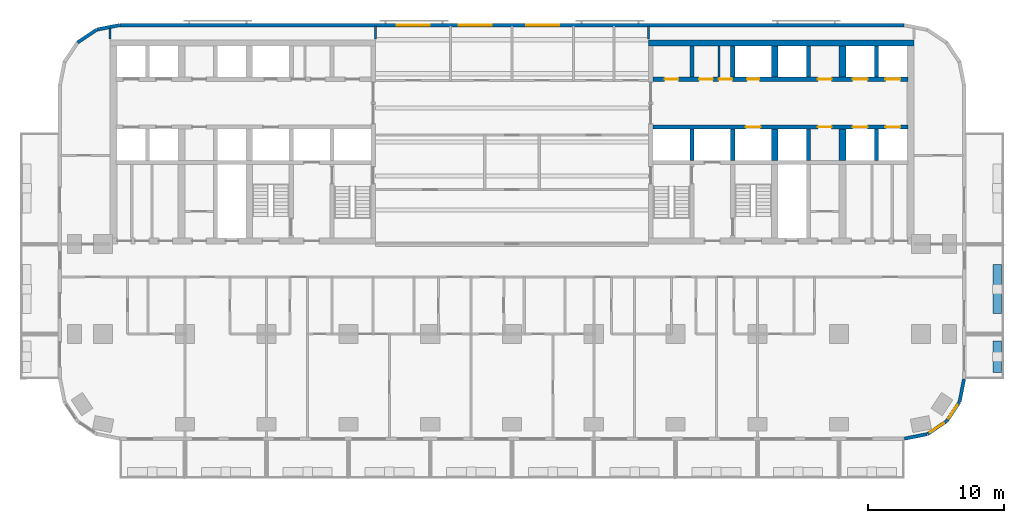
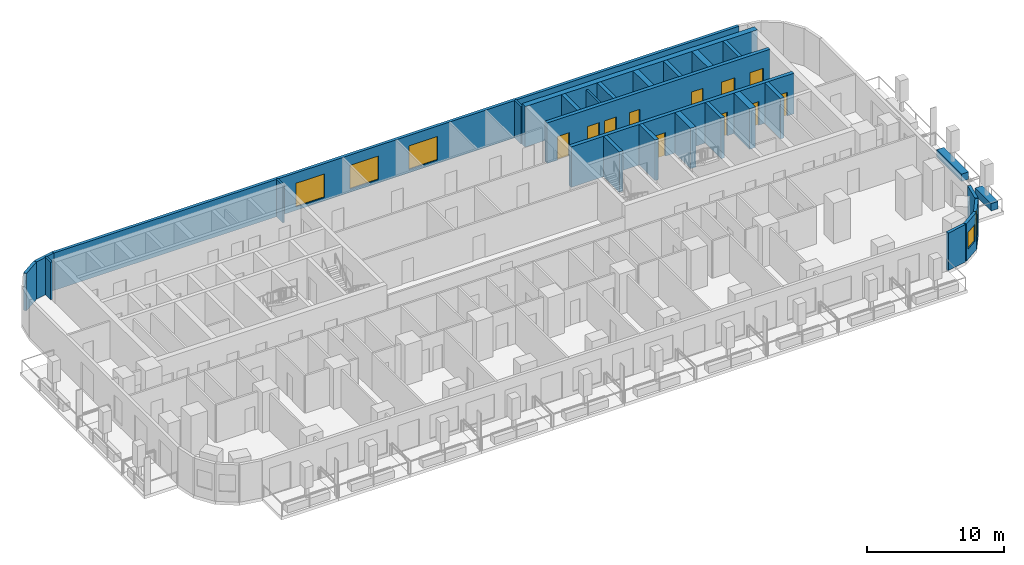
# One storey, part 8 of 14: 28 walls, 11 doors, 5 windows, 16 openings.
"""IFC4 building model written with IfcOpenShell, lengths in metres."""

from ifc_helpers import new_model, si_unit, direction, frame, frame_2d, origin, place, context, subcontext, project, spatial, rectangle, extrude, material, layer, layer_set, type_object, element, fill, save


model = new_model("IFC4")

# Units and contexts
model_context = context("Model", 3, precision=1e-05, world=origin(), true_north=direction((0.0, 1.0)))
body_context = subcontext(model_context, "Body", "Model", "MODEL_VIEW")
ifc_project = project(units=[si_unit("LENGTHUNIT", "METRE"), si_unit("AREAUNIT", "SQUARE_METRE"), si_unit("VOLUMEUNIT", "CUBIC_METRE"), si_unit("PLANEANGLEUNIT", "RADIAN"), si_unit("MASSUNIT", "GRAM", prefix="KILO")], contexts=[model_context])

# Site, building, storey
site_placement = place(None, origin())
site = spatial("IfcSite", under=ifc_project, at=site_placement, CompositionType="ELEMENT")
building_placement = place(site_placement, origin())
building = spatial("IfcBuilding", under=site, at=building_placement, Name="Torana Hotel and Residences", CompositionType="ELEMENT")
storey_placement = place(building_placement, frame((0.0, 0.0, 85.199951171875)))
storey = spatial("IfcBuildingStorey", under=building, at=storey_placement, Name="L21", CompositionType="ELEMENT", Elevation=85.199951171875)

# Wall, openings, doors
ifc_material_1 = material(Name="Concrete C80/95", Category="concrete")
ifc_layer_1 = layer(ifc_material_1, 0.300048828125)
ifc_layer_set_1 = layer_set([ifc_layer_1], Name="CORE WALL 300 C80/95")
wall_type_1 = type_object("IfcWallType", Name="CORE WALL 300 C80/95", PredefinedType="SHEAR", material=ifc_layer_set_1)
wall_1_placement = place(storey_placement, frame((10.35009765625, -2.89990234375, 0.0), z_axis=(0.0, 0.0, 1.0), x_axis=(1.0, 0.0, 0.0)))
wall_1 = element("IfcWall", 1, at=wall_1_placement, inside=storey, type_object=wall_type_1, Name="Core wall E row-N", PredefinedType="SHEAR", context=body_context, shape_type="SweptSolid", body=[
    extrude(rectangle(XDim=18.699951171875, YDim=0.300048828125, at=frame_2d((9.35009765625, 0.0))), origin(), (0.0, 0.0, 1.0), 3.60009765625),
])
opening_1_placement = place(wall_1_placement, frame((14.64990234375, 0.0, 0.0)))
opening_1 = element("IfcOpeningElement", 2, at=opening_1_placement, cuts=wall_1, Name="Opening LD", PredefinedType="OPENING", context=body_context, shape_type="SweptSolid", body=[
    extrude(rectangle(XDim=1.10009765625, YDim=2.10009765625, at=frame_2d((0.550048828125, 1.050048828125))), frame((0.0, 0.159912109375, 0.0), z_axis=(0.0, -1.0, 0.0), x_axis=(1.0, 0.0, 0.0)), (0.0, 0.0, 1.0), 0.320068359375),
])
opening_2_placement = place(wall_1_placement, frame((17.050048828125, 0.0, 0.0)))
opening_2 = element("IfcOpeningElement", 3, at=opening_2_placement, cuts=wall_1, Name="Opening LD", PredefinedType="OPENING", context=body_context, shape_type="SweptSolid", body=[
    extrude(rectangle(XDim=1.10009765625, YDim=2.10009765625, at=frame_2d((0.550048828125, 1.050048828125))), frame((0.0, 0.159912109375, 0.0), z_axis=(0.0, -1.0, 0.0), x_axis=(1.0, 0.0, 0.0)), (0.0, 0.0, 1.0), 0.320068359375),
])
opening_3_placement = place(wall_1_placement, frame((6.89990234375, 0.0, 0.0)))
opening_3 = element("IfcOpeningElement", 4, at=opening_3_placement, cuts=wall_1, Name="Opening L21-29", PredefinedType="OPENING", context=body_context, shape_type="SweptSolid", body=[
    extrude(rectangle(XDim=0.89990234375, YDim=2.10009765625, at=frame_2d((0.449951171875, 1.050048828125))), frame((0.0, 0.159912109375, 0.0), z_axis=(0.0, -1.0, 0.0), x_axis=(1.0, 0.0, 0.0)), (0.0, 0.0, 1.0), 0.320068359375),
])
opening_4_placement = place(wall_1_placement, frame((0.85009765625, 0.0, 0.0)))
opening_4 = element("IfcOpeningElement", 5, at=opening_4_placement, cuts=wall_1, Name="Opening L21-30", PredefinedType="OPENING", context=body_context, shape_type="SweptSolid", body=[
    extrude(rectangle(XDim=1.0, YDim=2.10009765625, at=frame_2d((0.5, 1.050048828125))), frame((0.0, 0.159912109375, 0.0), z_axis=(0.0, -1.0, 0.0), x_axis=(1.0, 0.0, 0.0)), (0.0, 0.0, 1.0), 0.320068359375),
])
opening_5_placement = place(wall_1_placement, frame((3.387451171875, 0.0, 0.0)))
opening_5 = element("IfcOpeningElement", 6, at=opening_5_placement, cuts=wall_1, Name="Opening L21-31", PredefinedType="OPENING", context=body_context, shape_type="SweptSolid", body=[
    extrude(rectangle(XDim=1.0, YDim=2.10009765625, at=frame_2d((0.5, 1.050048828125))), frame((0.0, 0.159912109375, 0.0), z_axis=(0.0, -1.0, 0.0), x_axis=(1.0, 0.0, 0.0)), (0.0, 0.0, 1.0), 0.320068359375),
])
opening_6_placement = place(wall_1_placement, frame((4.8125, 0.0, 0.0)))
opening_6 = element("IfcOpeningElement", 7, at=opening_6_placement, cuts=wall_1, Name="Opening L21-32", PredefinedType="OPENING", context=body_context, shape_type="SweptSolid", body=[
    extrude(rectangle(XDim=1.0, YDim=2.10009765625, at=frame_2d((0.5, 1.050048828125))), frame((0.0, 0.159912109375, 0.0), z_axis=(0.0, -1.0, 0.0), x_axis=(1.0, 0.0, 0.0)), (0.0, 0.0, 1.0), 0.320068359375),
])
opening_7_placement = place(wall_1_placement, frame((12.10009765625, 0.0, 0.0)))
opening_7 = element("IfcOpeningElement", 8, at=opening_7_placement, cuts=wall_1, Name="Opening L21-33", PredefinedType="OPENING", context=body_context, shape_type="SweptSolid", body=[
    extrude(rectangle(XDim=1.0, YDim=2.10009765625, at=frame_2d((0.5, 1.050048828125))), frame((0.0, 0.159912109375, 0.0), z_axis=(0.0, -1.0, 0.0), x_axis=(1.0, 0.0, 0.0)), (0.0, 0.0, 1.0), 0.320068359375),
])
ifc_material_2 = material(Name="Steel S235", Category="steel")
door_type_1 = type_object("IfcDoorType", Name="CORE ROOM FIRE DOOR D14 1000x2100", OperationType="SINGLE_SWING_LEFT", PredefinedType="DOOR", material=ifc_material_2)
door_1_placement = place(opening_4_placement, origin())
door_1 = element("IfcDoor", 9, at=door_1_placement, inside=storey, type_object=door_type_1, Name="N0 door L21", OperationType="SINGLE_SWING_RIGHT", OverallHeight=2.10009765625, OverallWidth=1.0, PredefinedType="DOOR", context=body_context, shape_type="SweptSolid", body=[
    extrude(rectangle(XDim=1.0, YDim=2.10009765625, at=frame_2d((0.5, 1.050048828125))), frame((0.0, 0.02490234375, 0.0), z_axis=(0.0, -1.0, 0.0), x_axis=(1.0, 0.0, 0.0)), (0.0, 0.0, 1.0), 0.050048828125),
])
fill(opening_4, door_1)
door_2_placement = place(opening_5_placement, origin())
door_2 = element("IfcDoor", 10, at=door_2_placement, inside=storey, type_object=door_type_1, Name="N1A door L21", OperationType="SINGLE_SWING_RIGHT", OverallHeight=2.10009765625, OverallWidth=1.0, PredefinedType="DOOR", context=body_context, shape_type="SweptSolid", body=[
    extrude(rectangle(XDim=1.0, YDim=2.10009765625, at=frame_2d((0.5, 1.050048828125))), frame((0.0, 0.02490234375, 0.0), z_axis=(0.0, -1.0, 0.0), x_axis=(1.0, 0.0, 0.0)), (0.0, 0.0, 1.0), 0.050048828125),
])
fill(opening_5, door_2)
door_3_placement = place(opening_6_placement, origin())
door_3 = element("IfcDoor", 11, at=door_3_placement, inside=storey, type_object=door_type_1, Name="N1B door L21", OperationType="SINGLE_SWING_LEFT", OverallHeight=2.10009765625, OverallWidth=1.0, PredefinedType="DOOR", context=body_context, shape_type="SweptSolid", body=[
    extrude(rectangle(XDim=1.0, YDim=2.10009765625, at=frame_2d((0.5, 1.050048828125))), frame((0.0, 0.02490234375, 0.0), z_axis=(0.0, -1.0, 0.0), x_axis=(1.0, 0.0, 0.0)), (0.0, 0.0, 1.0), 0.050048828125),
])
fill(opening_6, door_3)
door_4_placement = place(opening_7_placement, origin())
door_4 = element("IfcDoor", 12, at=door_4_placement, inside=storey, type_object=door_type_1, Name="Free-M3 door L21", OperationType="SINGLE_SWING_RIGHT", OverallHeight=2.10009765625, OverallWidth=1.0, PredefinedType="DOOR", context=body_context, shape_type="SweptSolid", body=[
    extrude(rectangle(XDim=1.0, YDim=2.10009765625, at=frame_2d((0.5, 1.050048828125))), frame((0.0, 0.02490234375, 0.0), z_axis=(0.0, -1.0, 0.0), x_axis=(1.0, 0.0, 0.0)), (0.0, 0.0, 1.0), 0.050048828125),
])
fill(opening_7, door_4)
ifc_material_3 = material(Name="Stainless steel 316", Category="steel")
door_type_2 = type_object("IfcDoorType", Name="LIFT LANDING DOOR LD 1100x2100", OperationType="DOUBLE_DOOR_SLIDING", PredefinedType="USERDEFINED", material=ifc_material_3)
door_5_placement = place(opening_1_placement, origin())
door_5 = element("IfcDoor", 13, at=door_5_placement, inside=storey, type_object=door_type_2, Name="Lift landing door L5 L21", ObjectType="LIFT LANDING DOOR", OperationType="DOUBLE_DOOR_SLIDING", OverallHeight=2.10009765625, OverallWidth=1.10009765625, PredefinedType="USERDEFINED", context=body_context, shape_type="SweptSolid", body=[
    extrude(rectangle(XDim=1.10009765625, YDim=2.10009765625, at=frame_2d((0.550048828125, 1.050048828125))), frame((0.0, 0.02490234375, 0.0), z_axis=(0.0, -1.0, 0.0), x_axis=(1.0, 0.0, 0.0)), (0.0, 0.0, 1.0), 0.050048828125),
])
fill(opening_1, door_5)
door_6_placement = place(opening_2_placement, origin())
door_6 = element("IfcDoor", 14, at=door_6_placement, inside=storey, type_object=door_type_2, Name="Lift landing door L6 L21", ObjectType="LIFT LANDING DOOR", OperationType="DOUBLE_DOOR_SLIDING", OverallHeight=2.10009765625, OverallWidth=1.10009765625, PredefinedType="USERDEFINED", context=body_context, shape_type="SweptSolid", body=[
    extrude(rectangle(XDim=1.10009765625, YDim=2.10009765625, at=frame_2d((0.550048828125, 1.050048828125))), frame((0.0, 0.02490234375, 0.0), z_axis=(0.0, -1.0, 0.0), x_axis=(1.0, 0.0, 0.0)), (0.0, 0.0, 1.0), 0.050048828125),
])
fill(opening_2, door_6)
ifc_material_4 = material(Name="Steel S235", Category="steel")
door_type_3 = type_object("IfcDoorType", Name="RISER ACCESS DOOR D5 900x2100", OperationType="SINGLE_SWING_LEFT", PredefinedType="DOOR", material=ifc_material_4)
door_7_placement = place(opening_3_placement, origin())
door_7 = element("IfcDoor", 15, at=door_7_placement, inside=storey, type_object=door_type_3, Name="N2 door L21", OperationType="SINGLE_SWING_RIGHT", OverallHeight=2.10009765625, OverallWidth=0.89990234375, PredefinedType="DOOR", context=body_context, shape_type="SweptSolid", body=[
    extrude(rectangle(XDim=0.89990234375, YDim=2.10009765625, at=frame_2d((0.449951171875, 1.050048828125))), frame((0.0, 0.02490234375, 0.0), z_axis=(0.0, -1.0, 0.0), x_axis=(1.0, 0.0, 0.0)), (0.0, 0.0, 1.0), 0.050048828125),
])
fill(opening_3, door_7)

wall_2_placement = place(storey_placement, frame((10.35009765625, -6.39990234375, 0.0), z_axis=(0.0, 0.0, 1.0), x_axis=(1.0, 0.0, 0.0)))
wall_2 = element("IfcWall", 16, at=wall_2_placement, inside=storey, type_object=wall_type_1, Name="Core wall E row-S", PredefinedType="SHEAR", context=body_context, shape_type="SweptSolid", body=[
    extrude(rectangle(XDim=18.699951171875, YDim=0.300048828125, at=frame_2d((9.35009765625, 0.0))), origin(), (0.0, 0.0, 1.0), 3.60009765625),
])
opening_8_placement = place(wall_2_placement, frame((14.64990234375, 0.0, 0.0)))
opening_8 = element("IfcOpeningElement", 17, at=opening_8_placement, cuts=wall_2, Name="Opening LD", PredefinedType="OPENING", context=body_context, shape_type="SweptSolid", body=[
    extrude(rectangle(XDim=1.10009765625, YDim=2.10009765625, at=frame_2d((0.550048828125, 1.050048828125))), frame((0.0, 0.159912109375, 0.0), z_axis=(0.0, -1.0, 0.0), x_axis=(1.0, 0.0, 0.0)), (0.0, 0.0, 1.0), 0.320068359375),
])
opening_9_placement = place(wall_2_placement, frame((17.050048828125, 0.0, 0.0)))
opening_9 = element("IfcOpeningElement", 18, at=opening_9_placement, cuts=wall_2, Name="Opening LD", PredefinedType="OPENING", context=body_context, shape_type="SweptSolid", body=[
    extrude(rectangle(XDim=1.10009765625, YDim=2.10009765625, at=frame_2d((0.550048828125, 1.050048828125))), frame((0.0, 0.159912109375, 0.0), z_axis=(0.0, -1.0, 0.0), x_axis=(1.0, 0.0, 0.0)), (0.0, 0.0, 1.0), 0.320068359375),
])
opening_10_placement = place(wall_2_placement, frame((6.800048828125, 0.0, 0.0)))
opening_10 = element("IfcOpeningElement", 19, at=opening_10_placement, cuts=wall_2, Name="Opening LD", PredefinedType="OPENING", context=body_context, shape_type="SweptSolid", body=[
    extrude(rectangle(XDim=1.10009765625, YDim=2.10009765625, at=frame_2d((0.550048828125, 1.050048828125))), frame((0.0, 0.159912109375, 0.0), z_axis=(0.0, -1.0, 0.0), x_axis=(1.0, 0.0, 0.0)), (0.0, 0.0, 1.0), 0.320068359375),
])
opening_11_placement = place(wall_2_placement, frame((12.10009765625, 0.0, 0.0)))
opening_11 = element("IfcOpeningElement", 20, at=opening_11_placement, cuts=wall_2, Name="Opening L21-34", PredefinedType="OPENING", context=body_context, shape_type="SweptSolid", body=[
    extrude(rectangle(XDim=1.0, YDim=2.10009765625, at=frame_2d((0.5, 1.050048828125))), frame((0.0, 0.159912109375, 0.0), z_axis=(0.0, -1.0, 0.0), x_axis=(1.0, 0.0, 0.0)), (0.0, 0.0, 1.0), 0.320068359375),
])
door_8_placement = place(opening_11_placement, frame((0.5, 0.0, 0.0), z_axis=(0.0, 0.0, 1.0), x_axis=(-1.0, 0.0, 0.0)))
door_8 = element("IfcDoor", 21, at=door_8_placement, inside=storey, type_object=door_type_1, Name="Free-M4 door L21", OperationType="SINGLE_SWING_LEFT", OverallHeight=2.10009765625, OverallWidth=1.0, PredefinedType="DOOR", context=body_context, shape_type="SweptSolid", body=[
    extrude(rectangle(XDim=1.0, YDim=2.10009765625, at=frame_2d((0.0, 1.050048828125))), frame((0.0, -0.02490234375, 0.0), z_axis=(0.0, 1.0, 0.0), x_axis=(-1.0, 0.0, 0.0)), (0.0, 0.0, 1.0), 0.050048828125),
])
fill(opening_11, door_8)
door_9_placement = place(opening_8_placement, origin())
door_9 = element("IfcDoor", 22, at=door_9_placement, inside=storey, type_object=door_type_2, Name="Lift landing door L7 L21", ObjectType="LIFT LANDING DOOR", OperationType="DOUBLE_DOOR_SLIDING", OverallHeight=2.10009765625, OverallWidth=1.10009765625, PredefinedType="USERDEFINED", context=body_context, shape_type="SweptSolid", body=[
    extrude(rectangle(XDim=1.10009765625, YDim=2.10009765625, at=frame_2d((0.550048828125, 1.050048828125))), frame((0.0, 0.02490234375, 0.0), z_axis=(0.0, -1.0, 0.0), x_axis=(1.0, 0.0, 0.0)), (0.0, 0.0, 1.0), 0.050048828125),
])
fill(opening_8, door_9)
door_10_placement = place(opening_9_placement, origin())
door_10 = element("IfcDoor", 23, at=door_10_placement, inside=storey, type_object=door_type_2, Name="Lift landing door L8 L21", ObjectType="LIFT LANDING DOOR", OperationType="DOUBLE_DOOR_SLIDING", OverallHeight=2.10009765625, OverallWidth=1.10009765625, PredefinedType="USERDEFINED", context=body_context, shape_type="SweptSolid", body=[
    extrude(rectangle(XDim=1.10009765625, YDim=2.10009765625, at=frame_2d((0.550048828125, 1.050048828125))), frame((0.0, 0.02490234375, 0.0), z_axis=(0.0, -1.0, 0.0), x_axis=(1.0, 0.0, 0.0)), (0.0, 0.0, 1.0), 0.050048828125),
])
fill(opening_9, door_10)
door_11_placement = place(opening_10_placement, origin())
door_11 = element("IfcDoor", 24, at=door_11_placement, inside=storey, type_object=door_type_2, Name="Lift landing door SV2 L21", ObjectType="LIFT LANDING DOOR", OperationType="DOUBLE_DOOR_SLIDING", OverallHeight=2.10009765625, OverallWidth=1.10009765625, PredefinedType="USERDEFINED", context=body_context, shape_type="SweptSolid", body=[
    extrude(rectangle(XDim=1.10009765625, YDim=2.10009765625, at=frame_2d((0.550048828125, 1.050048828125))), frame((0.0, 0.02490234375, 0.0), z_axis=(0.0, -1.0, 0.0), x_axis=(1.0, 0.0, 0.0)), (0.0, 0.0, 1.0), 0.050048828125),
])
fill(opening_10, door_11)

# Walls
for number, where, z_axis, x_axis, name in (
    (25, (13.199951171875, -2.75, 0.0), (0.0, 0.0, 1.0), (0.0, 1.0, 0.0), "Core wall E x3.05-N"),
    (26, (13.199951171875, -8.85009765625, 0.0), (0.0, 0.0, 1.0), (0.0, 1.0, 0.0), "Core wall E x3.05-S"),
    (27, (16.199951171875, -2.75, 0.0), (0.0, 0.0, 1.0), (0.0, 1.0, 0.0), "Core wall E x6.05-N"),
    (28, (16.199951171875, -8.85009765625, 0.0), (0.0, 0.0, 1.0), (0.0, 1.0, 0.0), "Core wall E x6.05-S"),
    (29, (21.75, -2.75, 0.0), (0.0, 0.0, 1.0), (0.0, 1.0, 0.0), "Core wall E mm-N"),
    (30, (21.75, -8.85009765625, 0.0), (0.0, 0.0, 1.0), (0.0, 1.0, 0.0), "Core wall E mm-S"),
    (31, (26.75, -2.75, 0.0), (0.0, 0.0, 1.0), (0.0, 1.0, 0.0), "Core wall E ll-N"),
    (32, (26.75, -8.85009765625, 0.0), (0.0, 0.0, 1.0), (0.0, 1.0, 0.0), "Core wall E ll-S"),
):
    element("IfcWall", number, at=place(storey_placement, frame(where, z_axis=z_axis, x_axis=x_axis)), inside=storey, type_object=wall_type_1, Name=name, PredefinedType="SHEAR", context=body_context, shape_type="SweptSolid", body=[
        extrude(rectangle(XDim=2.300048828125, YDim=0.300048828125, at=frame_2d((1.14990234375, 0.0))), origin(), (0.0, 0.0, 1.0), 3.60009765625),
    ])
ifc_material_5 = material(Name="Concrete C80/95", Category="concrete")
ifc_layer_2 = layer(ifc_material_5, 0.449951171875)
ifc_layer_set_2 = layer_set([ifc_layer_2], Name="CORE WALL 450 C80/95")
wall_type_2 = type_object("IfcWallType", Name="CORE WALL 450 C80/95", PredefinedType="SHEAR", material=ifc_layer_set_2)
wall_3_placement = place(storey_placement, frame((10.0, -0.22509765625, 0.0), z_axis=(0.0, 0.0, 1.0), x_axis=(1.0, 0.0, 0.0)))
element("IfcWall", 33, at=wall_3_placement, inside=storey, type_object=wall_type_2, Name="Core wall E rear", PredefinedType="SHEAR", context=body_context, shape_type="SweptSolid", body=[
    extrude(rectangle(XDim=19.5, YDim=0.449951171875, at=frame_2d((9.75, 0.0))), origin(), (0.0, 0.0, 1.0), 3.60009765625),
])
for number, where, z_axis, x_axis, name in (
    (34, (19.27490234375, -2.75, 0.0), (0.0, 0.0, 1.0), (0.0, 1.0, 0.0), "Core wall E hm-N"),
    (35, (19.27490234375, -8.85009765625, 0.0), (0.0, 0.0, 1.0), (0.0, 1.0, 0.0), "Core wall E hm-S"),
):
    element("IfcWall", number, at=place(storey_placement, frame(where, z_axis=z_axis, x_axis=x_axis)), inside=storey, type_object=wall_type_2, Name=name, PredefinedType="SHEAR", context=body_context, shape_type="SweptSolid", body=[
        extrude(rectangle(XDim=2.300048828125, YDim=0.449951171875, at=frame_2d((1.14990234375, 0.0))), origin(), (0.0, 0.0, 1.0), 3.60009765625),
    ])
ifc_material_6 = material(Name="Concrete C80/95", Category="concrete")
ifc_layer_3 = layer(ifc_material_6, 0.5)
ifc_layer_set_3 = layer_set([ifc_layer_3], Name="CORE WALL 500 C80/95")
wall_type_3 = type_object("IfcWallType", Name="CORE WALL 500 C80/95", PredefinedType="SHEAR", material=ifc_layer_set_3)
for number, where, z_axis, x_axis, name in (
    (36, (24.25, -2.75, 0.0), (0.0, 0.0, 1.0), (0.0, 1.0, 0.0), "Core wall E ml-N"),
    (37, (24.25, -8.85009765625, 0.0), (0.0, 0.0, 1.0), (0.0, 1.0, 0.0), "Core wall E ml-S"),
):
    element("IfcWall", number, at=place(storey_placement, frame(where, z_axis=z_axis, x_axis=x_axis)), inside=storey, type_object=wall_type_3, Name=name, PredefinedType="SHEAR", context=body_context, shape_type="SweptSolid", body=[
        extrude(rectangle(XDim=2.300048828125, YDim=0.5, at=frame_2d((1.14990234375, 0.0))), origin(), (0.0, 0.0, 1.0), 3.60009765625),
    ])
ifc_material_7 = material(Name="Black aluminium composite panel", Category="aluminium")
ifc_layer_4 = layer(ifc_material_7, 0.00390625, Name="Cladding", Category="cladding")
ifc_material_8 = material(Name="Ventilated air cavity")
ifc_layer_5 = layer(ifc_material_8, 0.0400390625, Name="Ventilated cavity", Category="cavity")
ifc_material_9 = material(Name="Mineral wool insulation")
ifc_layer_6 = layer(ifc_material_9, 0.090087890625, Name="Insulation", Category="insulation")
ifc_material_10 = material(Name="Steel S280GD", Category="steel")
ifc_layer_7 = layer(ifc_material_10, 0.092041015625, Name="Steel stud frame", Category="structure")
ifc_material_11 = material(Name="Fire rated plasterboard")
ifc_layer_8 = layer(ifc_material_11, 0.011962890625, Name="Inner board", Category="finish")
ifc_layer_9 = layer(ifc_material_11, 0.011962890625, Name="Second board", Category="finish")
ifc_layer_set_4 = layer_set([ifc_layer_4, ifc_layer_5, ifc_layer_6, ifc_layer_7, ifc_layer_8, ifc_layer_9], Name="EW1 EXTERNAL WALL BLACK METAL CLAD 250")
wall_type_4 = type_object("IfcWallType", Name="EW1 EXTERNAL WALL BLACK METAL CLAD 250", PredefinedType="SOLIDWALL", material=ifc_layer_set_4)
wall_4_placement = place(storey_placement, frame((-28.7998046875, 1.072509765625, 0.0), z_axis=(0.0, 0.0, 1.0), x_axis=(-0.980803419081, -0.194999110559, 0.0)))
element("IfcWall", 38, at=wall_4_placement, inside=storey, type_object=wall_type_4, Name="External wall L21 e0.5", PredefinedType="SOLIDWALL", context=body_context, shape_type="SweptSolid", body=[
    extrude(rectangle(XDim=1.681396484375, YDim=0.25, at=frame_2d((0.8408203125, 0.0))), origin(), (0.0, 0.0, 1.0), 3.320068359375),
])
wall_5_placement = place(storey_placement, frame((-30.493896484375, 0.725830078125, 0.0), z_axis=(0.0, 0.0, 1.0), x_axis=(-0.831482937015, -0.55555029066, 0.0)))
element("IfcWall", 39, at=wall_5_placement, inside=storey, type_object=wall_type_4, Name="External wall L21 e0.6", PredefinedType="SOLIDWALL", context=body_context, shape_type="SweptSolid", body=[
    extrude(rectangle(XDim=1.65625, YDim=0.25, at=frame_2d((0.828125, 0.0))), origin(), (0.0, 0.0, 1.0), 3.320068359375),
])
wall_6_placement = place(storey_placement, frame((28.7998046875, -29.272705078125, 0.0), z_axis=(0.0, 0.0, 1.0), x_axis=(0.980775640221, 0.19513878023, 0.0)))
element("IfcWall", 40, at=wall_6_placement, inside=storey, type_object=wall_type_4, Name="External wall L21 e0.15", PredefinedType="SOLIDWALL", context=body_context, shape_type="SweptSolid", body=[
    extrude(rectangle(XDim=1.681396484375, YDim=0.25, at=frame_2d((0.8408203125, 0.0))), origin(), (0.0, 0.0, 1.0), 3.320068359375),
])

# Wall, opening, window
wall_7_placement = place(storey_placement, frame((30.493896484375, -28.92578125, 0.0), z_axis=(0.0, 0.0, 1.0), x_axis=(0.831482937015, 0.55555029066, 0.0)))
wall_7 = element("IfcWall", 41, at=wall_7_placement, inside=storey, type_object=wall_type_4, Name="External wall L21 e0.16", PredefinedType="SOLIDWALL", context=body_context, shape_type="SweptSolid", body=[
    extrude(rectangle(XDim=1.65625, YDim=0.25, at=frame_2d((0.828125, 0.0))), origin(), (0.0, 0.0, 1.0), 3.320068359375),
])
opening_12_placement = place(wall_7_placement, frame((0.228271484375, 0.0, 0.89990234375)))
opening_12 = element("IfcOpeningElement", 42, at=opening_12_placement, cuts=wall_7, Name="Opening W5", PredefinedType="OPENING", context=body_context, shape_type="SweptSolid", body=[
    extrude(rectangle(XDim=1.199951171875, YDim=1.5, at=frame_2d((0.60009765625, 0.75))), frame((0.0, 0.135009765625, 0.0), z_axis=(0.0, -1.0, 0.0), x_axis=(1.0, 0.0, 0.0)), (0.0, 0.0, 1.0), 0.27001953125),
])
ifc_material_12 = material(Name="Dark glass in black aluminium frame", Category="aluminium")
window_type_1 = type_object("IfcWindowType", Name="W5 CORNER FACET WINDOW 1200x1500", PartitioningType="SINGLE_PANEL", PredefinedType="WINDOW", material=ifc_material_12)
window_1_placement = place(opening_12_placement, origin())
window_1 = element("IfcWindow", 43, at=window_1_placement, inside=storey, type_object=window_type_1, Name="Window L21 e0.16", OverallHeight=1.5, OverallWidth=1.199951171875, PartitioningType="SINGLE_PANEL", PredefinedType="WINDOW", context=body_context, shape_type="SweptSolid", body=[
    extrude(rectangle(XDim=1.199951171875, YDim=1.5, at=frame_2d((0.60009765625, 0.75))), frame((0.0, 0.030029296875, 0.0), z_axis=(0.0, -1.0, 0.0), x_axis=(1.0, 0.0, 0.0)), (0.0, 0.0, 1.0), 0.06005859375),
])
fill(opening_12, window_1)

wall_8_placement = place(storey_placement, frame((31.90576171875, -27.97119140625, 0.0), z_axis=(0.0, 0.0, 1.0), x_axis=(0.55555029066, 0.831482937015, 0.0)))
wall_8 = element("IfcWall", 44, at=wall_8_placement, inside=storey, type_object=wall_type_4, Name="External wall L21 e0.17", PredefinedType="SOLIDWALL", context=body_context, shape_type="SweptSolid", body=[
    extrude(rectangle(XDim=1.65625, YDim=0.25, at=frame_2d((0.828125, 0.0))), origin(), (0.0, 0.0, 1.0), 3.320068359375),
])
opening_13_placement = place(wall_8_placement, frame((0.228271484375, 0.0, 0.89990234375)))
opening_13 = element("IfcOpeningElement", 45, at=opening_13_placement, cuts=wall_8, Name="Opening W5", PredefinedType="OPENING", context=body_context, shape_type="SweptSolid", body=[
    extrude(rectangle(XDim=1.199951171875, YDim=1.5, at=frame_2d((0.60009765625, 0.75))), frame((0.0, 0.135009765625, 0.0), z_axis=(0.0, -1.0, 0.0), x_axis=(1.0, 0.0, 0.0)), (0.0, 0.0, 1.0), 0.27001953125),
])
window_2_placement = place(opening_13_placement, origin())
window_2 = element("IfcWindow", 46, at=window_2_placement, inside=storey, type_object=window_type_1, Name="Window L21 e0.17", OverallHeight=1.5, OverallWidth=1.199951171875, PartitioningType="SINGLE_PANEL", PredefinedType="WINDOW", context=body_context, shape_type="SweptSolid", body=[
    extrude(rectangle(XDim=1.199951171875, YDim=1.5, at=frame_2d((0.60009765625, 0.75))), frame((0.0, 0.030029296875, 0.0), z_axis=(0.0, -1.0, 0.0), x_axis=(1.0, 0.0, 0.0)), (0.0, 0.0, 1.0), 0.06005859375),
])
fill(opening_13, window_2)

# Wall
wall_9_placement = place(storey_placement, frame((32.844482421875, -26.548828125, 0.0), z_axis=(0.0, 0.0, 1.0), x_axis=(0.195166572128, 0.980770110232, 0.0)))
element("IfcWall", 47, at=wall_9_placement, inside=storey, type_object=wall_type_4, Name="External wall L21 e0.18", PredefinedType="SOLIDWALL", context=body_context, shape_type="SweptSolid", body=[
    extrude(rectangle(XDim=1.68115234375, YDim=0.25, at=frame_2d((0.840576171875, 0.0))), origin(), (0.0, 0.0, 1.0), 3.320068359375),
])

# Wall, openings, windows
ifc_material_13 = material(Name="Concrete C40/50 precast", Category="concrete")
ifc_layer_10 = layer(ifc_material_13, 0.10009765625, Name="Perforated block", Category="cladding")
ifc_material_14 = material(Name="Air cavity")
ifc_layer_11 = layer(ifc_material_14, 0.030029296875, Name="Cavity", Category="cavity")
ifc_material_15 = material(Name="Concrete C40/50", Category="concrete")
ifc_layer_12 = layer(ifc_material_15, 0.10009765625, Name="Wall", Category="structure")
ifc_material_16 = material(Name="Plaster and paint")
ifc_layer_13 = layer(ifc_material_16, 0.02001953125, Name="Inner finish", Category="finish")
ifc_layer_set_5 = layer_set([ifc_layer_10, ifc_layer_11, ifc_layer_12, ifc_layer_13], Name="EW2 PERFORATED BLOCK SCREEN WALL 250")
wall_type_5 = type_object("IfcWallType", Name="EW2 PERFORATED BLOCK SCREEN WALL 250", PredefinedType="SOLIDWALL", material=ifc_layer_set_5)
wall_10_placement = place(storey_placement, frame((28.775390625, 1.074951171875, 0.0), z_axis=(0.0, 0.0, 1.0), x_axis=(-1.0, 0.0, 0.0)))
wall_10 = element("IfcWall", 48, at=wall_10_placement, inside=storey, type_object=wall_type_5, Name="External wall L21 e0.4", PredefinedType="SOLIDWALL", context=body_context, shape_type="SweptSolid", body=[
    extrude(rectangle(XDim=57.55078125, YDim=0.25, at=frame_2d((28.775390625, 0.0))), origin(), (0.0, 0.0, 1.0), 3.320068359375),
])
opening_14_placement = place(wall_10_placement, frame((25.325439453125, 0.0, 0.300048828125)))
opening_14 = element("IfcOpeningElement", 49, at=opening_14_placement, cuts=wall_10, Name="Opening W1", PredefinedType="OPENING", context=body_context, shape_type="SweptSolid", body=[
    extrude(rectangle(XDim=2.39990234375, YDim=2.10009765625, at=frame_2d((1.199951171875, 1.050048828125))), frame((0.0, 0.135009765625, 0.0), z_axis=(0.0, -1.0, 0.0), x_axis=(1.0, 0.0, 0.0)), (0.0, 0.0, 1.0), 0.27001953125),
])
opening_15_placement = place(wall_10_placement, frame((30.275390625, 0.0, 0.300048828125)))
opening_15 = element("IfcOpeningElement", 50, at=opening_15_placement, cuts=wall_10, Name="Opening W1", PredefinedType="OPENING", context=body_context, shape_type="SweptSolid", body=[
    extrude(rectangle(XDim=2.39990234375, YDim=2.10009765625, at=frame_2d((1.199951171875, 1.050048828125))), frame((0.0, 0.135009765625, 0.0), z_axis=(0.0, -1.0, 0.0), x_axis=(1.0, 0.0, 0.0)), (0.0, 0.0, 1.0), 0.27001953125),
])
opening_16_placement = place(wall_10_placement, frame((34.825439453125, 0.0, 0.300048828125)))
opening_16 = element("IfcOpeningElement", 51, at=opening_16_placement, cuts=wall_10, Name="Opening W1", PredefinedType="OPENING", context=body_context, shape_type="SweptSolid", body=[
    extrude(rectangle(XDim=2.39990234375, YDim=2.10009765625, at=frame_2d((1.199951171875, 1.050048828125))), frame((0.0, 0.135009765625, 0.0), z_axis=(0.0, -1.0, 0.0), x_axis=(1.0, 0.0, 0.0)), (0.0, 0.0, 1.0), 0.27001953125),
])
ifc_material_17 = material(Name="Dark glass in black aluminium frame", Category="aluminium")
window_type_2 = type_object("IfcWindowType", Name="W1 HOTEL ROOM WINDOW 2400x2100", PartitioningType="SINGLE_PANEL", PredefinedType="WINDOW", material=ifc_material_17)
window_3_placement = place(opening_14_placement, origin())
window_3 = element("IfcWindow", 52, at=window_3_placement, inside=storey, type_object=window_type_2, Name="Window L21", OverallHeight=2.10009765625, OverallWidth=2.39990234375, PartitioningType="SINGLE_PANEL", PredefinedType="WINDOW", context=body_context, shape_type="SweptSolid", body=[
    extrude(rectangle(XDim=2.39990234375, YDim=2.10009765625, at=frame_2d((1.199951171875, 1.050048828125))), frame((0.0, 0.030029296875, 0.0), z_axis=(0.0, -1.0, 0.0), x_axis=(1.0, 0.0, 0.0)), (0.0, 0.0, 1.0), 0.06005859375),
])
fill(opening_14, window_3)
window_4_placement = place(opening_15_placement, origin())
window_4 = element("IfcWindow", 53, at=window_4_placement, inside=storey, type_object=window_type_2, Name="Window L21", OverallHeight=2.10009765625, OverallWidth=2.39990234375, PartitioningType="SINGLE_PANEL", PredefinedType="WINDOW", context=body_context, shape_type="SweptSolid", body=[
    extrude(rectangle(XDim=2.39990234375, YDim=2.10009765625, at=frame_2d((1.199951171875, 1.050048828125))), frame((0.0, 0.030029296875, 0.0), z_axis=(0.0, -1.0, 0.0), x_axis=(1.0, 0.0, 0.0)), (0.0, 0.0, 1.0), 0.06005859375),
])
fill(opening_15, window_4)
window_5_placement = place(opening_16_placement, origin())
window_5 = element("IfcWindow", 54, at=window_5_placement, inside=storey, type_object=window_type_2, Name="Window L21", OverallHeight=2.10009765625, OverallWidth=2.39990234375, PartitioningType="SINGLE_PANEL", PredefinedType="WINDOW", context=body_context, shape_type="SweptSolid", body=[
    extrude(rectangle(XDim=2.39990234375, YDim=2.10009765625, at=frame_2d((1.199951171875, 1.050048828125))), frame((0.0, 0.030029296875, 0.0), z_axis=(0.0, -1.0, 0.0), x_axis=(1.0, 0.0, 0.0)), (0.0, 0.0, 1.0), 0.06005859375),
])
fill(opening_16, window_5)

# Walls
ifc_material_18 = material(Name="Gypsum plaster")
ifc_layer_14 = layer(ifc_material_18, 0.014892578125, Name="Plaster", Category="finish")
ifc_material_19 = material(Name="Concrete blockwork", Category="masonry")
ifc_layer_15 = layer(ifc_material_19, 0.1201171875, Name="Blockwork", Category="structure")
ifc_layer_16 = layer(ifc_material_18, 0.014892578125, Name="Plaster", Category="finish")
ifc_layer_set_6 = layer_set([ifc_layer_14, ifc_layer_15, ifc_layer_16], Name="FIRE PARTITION 150 BLOCKWORK")
wall_type_6 = type_object("IfcWallType", Name="FIRE PARTITION 150 BLOCKWORK", PredefinedType="PARTITIONING", material=ifc_layer_set_6)
wall_11_placement = place(storey_placement, frame((15.199951171875, -2.75, 0.0), z_axis=(0.0, 0.0, 1.0), x_axis=(0.0, 1.0, 0.0)))
element("IfcWall", 55, at=wall_11_placement, inside=storey, type_object=wall_type_6, Name="Core partition L21", PredefinedType="PARTITIONING", context=body_context, shape_type="SweptSolid", body=[
    extrude(rectangle(XDim=2.300048828125, YDim=0.14990234375, at=frame_2d((1.14990234375, 0.0))), origin(), (0.0, 0.0, 1.0), 3.300048828125),
])
ifc_material_20 = material(Name="Gypsum plasterboard")
ifc_layer_17 = layer(ifc_material_20, 0.012451171875, Name="Plasterboard", Category="finish")
ifc_layer_18 = layer(ifc_material_20, 0.012451171875, Name="Plasterboard", Category="finish")
ifc_layer_19 = layer(ifc_material_10, 0.10009765625, Name="Steel studs with mineral wool", Category="insulation")
ifc_layer_20 = layer(ifc_material_20, 0.012451171875, Name="Plasterboard", Category="finish")
ifc_layer_21 = layer(ifc_material_20, 0.012451171875, Name="Plasterboard", Category="finish")
ifc_layer_set_7 = layer_set([ifc_layer_17, ifc_layer_18, ifc_layer_19, ifc_layer_20, ifc_layer_21], Name="PARTITION 150 PLASTERBOARD")
wall_type_7 = type_object("IfcWallType", Name="PARTITION 150 PLASTERBOARD", PredefinedType="PARTITIONING", material=ifc_layer_set_7)
wall_12_placement = place(storey_placement, frame((-10.0, 0.050048828125, 0.0), z_axis=(0.0, 0.0, 1.0), x_axis=(0.0, 1.0, 0.0)))
element("IfcWall", 56, at=wall_12_placement, inside=storey, type_object=wall_type_7, Name="Partition L21", PredefinedType="PARTITIONING", context=body_context, shape_type="SweptSolid", body=[
    extrude(rectangle(XDim=0.969970703125, YDim=0.14990234375, at=frame_2d((0.48486328125, 0.0))), origin(), (0.0, 0.0, 1.0), 3.320068359375),
])
wall_13_placement = place(storey_placement, frame((-29.5, 0.050048828125, 0.0), z_axis=(0.0, 0.0, 1.0), x_axis=(0.0, 1.0, 0.0)))
element("IfcWall", 57, at=wall_13_placement, inside=storey, type_object=wall_type_7, Name="Partition L21", PredefinedType="PARTITIONING", context=body_context, shape_type="SweptSolid", body=[
    extrude(rectangle(XDim=0.8271484375, YDim=0.14990234375, at=frame_2d((0.41357421875, 0.0))), origin(), (0.0, 0.0, 1.0), 3.320068359375),
])
ifc_layer_22 = layer(ifc_material_13, 0.10009765625, Name="Planter shell", Category="structure")
ifc_material_21 = material(Name="Root resistant membrane")
ifc_layer_23 = layer(ifc_material_21, 0.00390625, Name="Waterproofing membrane", Category="membrane")
ifc_material_22 = material(Name="Drainage board with filter fleece")
ifc_layer_24 = layer(ifc_material_22, 0.02001953125, Name="Drainage board", Category="drainage")
ifc_material_23 = material(Name="Growing medium")
ifc_layer_25 = layer(ifc_material_23, 0.47607421875, Name="Planting substrate", Category="soil")
ifc_layer_set_8 = layer_set([ifc_layer_22, ifc_layer_23, ifc_layer_24, ifc_layer_25], Name="PL1 BALCONY PLANTER 600")
wall_type_8 = type_object("IfcWallType", Name="PL1 BALCONY PLANTER 600", PredefinedType="USERDEFINED", material=ifc_layer_set_8)
wall_14_placement = place(storey_placement, frame((35.60009765625, -22.10009765625, 0.0), z_axis=(0.0, 0.0, 1.0), x_axis=(0.0, -1.0, 0.0)))
element("IfcWall", 58, at=wall_14_placement, inside=storey, type_object=wall_type_8, Name="Planter 14", ObjectType="PLANTER", PredefinedType="USERDEFINED", context=body_context, shape_type="SweptSolid", body=[
    extrude(rectangle(XDim=2.2998046875, YDim=0.60009765625, at=frame_2d((1.14990234375, 0.0))), origin(), (0.0, 0.0, 1.0), 0.650146484375),
])
wall_15_placement = place(storey_placement, frame((35.60009765625, -16.5, 0.0), z_axis=(0.0, 0.0, 1.0), x_axis=(0.0, -1.0, 0.0)))
element("IfcWall", 59, at=wall_15_placement, inside=storey, type_object=wall_type_8, Name="Planter 15", ObjectType="PLANTER", PredefinedType="USERDEFINED", context=body_context, shape_type="SweptSolid", body=[
    extrude(rectangle(XDim=3.60009765625, YDim=0.60009765625, at=frame_2d((1.800048828125, 0.0))), origin(), (0.0, 0.0, 1.0), 0.650146484375),
])
ifc_material_24 = material(Name="Ceramic tile on adhesive")
ifc_layer_26 = layer(ifc_material_24, 0.010009765625, Name="Wall tile", Category="finish")
ifc_material_25 = material(Name="Cement render")
ifc_layer_27 = layer(ifc_material_25, 0.010009765625, Name="Render", Category="finish")
ifc_layer_28 = layer(ifc_material_19, 0.110107421875, Name="Blockwork", Category="structure")
ifc_layer_29 = layer(ifc_material_25, 0.010009765625, Name="Render", Category="finish")
ifc_layer_30 = layer(ifc_material_24, 0.010009765625, Name="Wall tile", Category="finish")
ifc_layer_set_9 = layer_set([ifc_layer_26, ifc_layer_27, ifc_layer_28, ifc_layer_29, ifc_layer_30], Name="WC PARTITION 150")
wall_type_9 = type_object("IfcWallType", Name="WC PARTITION 150", PredefinedType="PLUMBINGWALL", material=ifc_layer_set_9)
wall_16_placement = place(storey_placement, frame((10.0, 0.050048828125, 0.0), z_axis=(0.0, 0.0, 1.0), x_axis=(0.0, 1.0, 0.0)))
element("IfcWall", 60, at=wall_16_placement, inside=storey, type_object=wall_type_9, Name="Partition L21", PredefinedType="PLUMBINGWALL", context=body_context, shape_type="SweptSolid", body=[
    extrude(rectangle(XDim=0.969970703125, YDim=0.14990234375, at=frame_2d((0.48486328125, 0.0))), origin(), (0.0, 0.0, 1.0), 3.320068359375),
])

save(model, "model.ifc")
